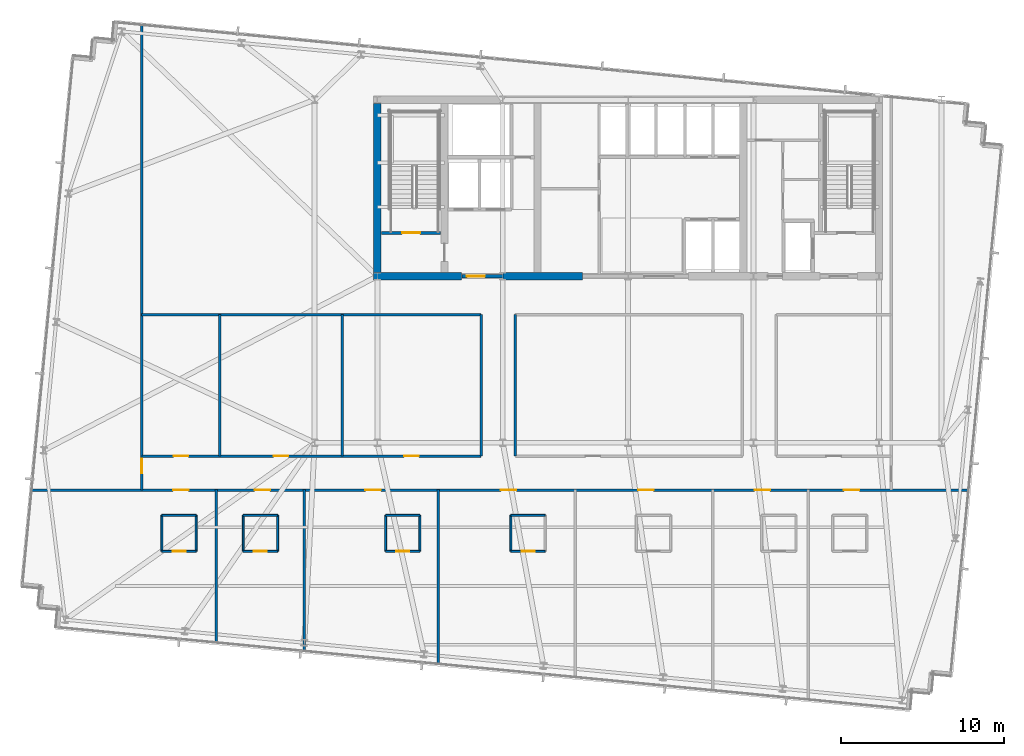
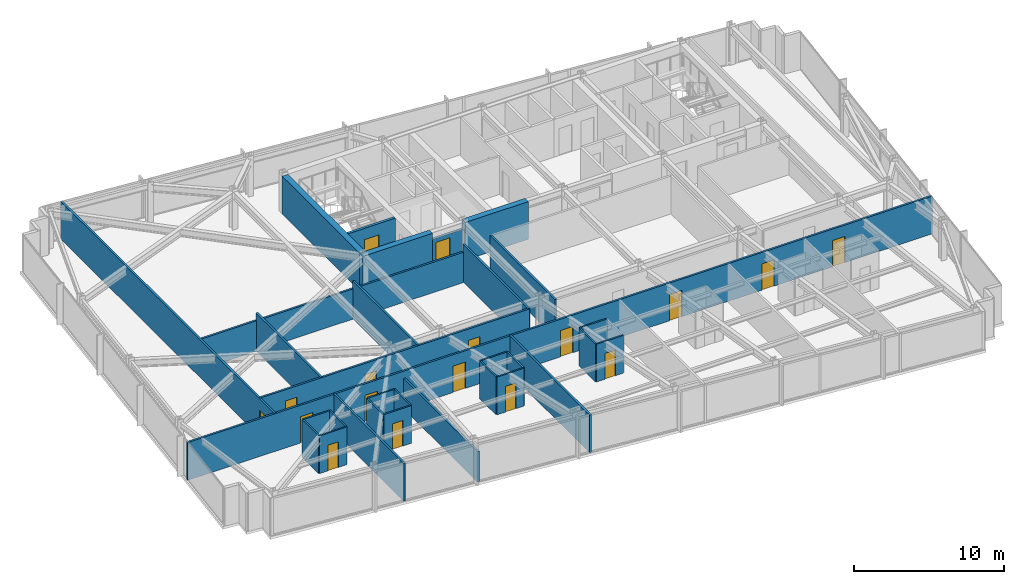
# One storey, part 29 of 37: 31 walls, 17 doors, 17 openings.
"""IFC4 building model written with IfcOpenShell, lengths in metres."""

from ifc_helpers import new_model, si_unit, direction, frame, frame_2d, origin, place, context, subcontext, project, spatial, rectangle, extrude, material, layer, layer_set, type_object, element, fill, save


model = new_model("IFC4")

# Units and contexts
model_context = context("Model", 3, precision=1e-05, world=origin(), true_north=direction((0.0, 1.0)))
body_context = subcontext(model_context, "Body", "Model", "MODEL_VIEW")
ifc_project = project(units=[si_unit("LENGTHUNIT", "METRE"), si_unit("AREAUNIT", "SQUARE_METRE"), si_unit("VOLUMEUNIT", "CUBIC_METRE"), si_unit("PLANEANGLEUNIT", "RADIAN"), si_unit("MASSUNIT", "GRAM", prefix="KILO")], contexts=[model_context])

# Site, building, storey
site_placement = place(None, origin())
site = spatial("IfcSite", under=ifc_project, at=site_placement, CompositionType="ELEMENT")
building_placement = place(site_placement, origin())
building = spatial("IfcBuilding", under=site, at=building_placement, Name="Yelkora Congress Tower", CompositionType="ELEMENT")
storey_placement = place(building_placement, frame((0.0, 0.0, 165.5)))
storey = spatial("IfcBuildingStorey", under=building, at=storey_placement, Name="L45", CompositionType="ELEMENT", Elevation=165.5)

# Walls
ifc_material_1 = material(Name="Concrete C60/75", Category="concrete")
ifc_layer_1 = layer(ifc_material_1, 0.449951171875)
ifc_layer_set_1 = layer_set([ifc_layer_1], Name="Concrete C60/75")
wall_type_1 = type_object("IfcWallType", Name="WALL-CORE-INT-450", PredefinedType="SHEAR", material=ifc_layer_set_1)
wall_1_placement = place(storey_placement, frame((22.81494140625, 35.39990234375, 0.0), z_axis=(0.0, 0.0, 1.0), x_axis=(1.0, 0.0, 0.0)))
element("IfcWall", 1, at=wall_1_placement, inside=storey, type_object=wall_type_1, Name="L45 Rear Core South-West Shear Wall", PredefinedType="SHEAR", context=body_context, shape_type="SweptSolid", body=[
    extrude(rectangle(XDim=5.385009765625, YDim=0.449951171875, at=frame_2d((2.6923828125, 0.0))), origin(), (0.0, 0.0, 1.0), 3.080078125),
])
wall_2_placement = place(storey_placement, frame((30.719970703125, 35.39990234375, 0.0), z_axis=(0.0, 0.0, 1.0), x_axis=(1.0, 0.0, 0.0)))
element("IfcWall", 2, at=wall_2_placement, inside=storey, type_object=wall_type_1, Name="L45 Rear Core South-Center Shear Pier", PredefinedType="SHEAR", context=body_context, shape_type="SweptSolid", body=[
    extrude(rectangle(XDim=4.880126953125, YDim=0.449951171875, at=frame_2d((2.43994140625, 0.0))), origin(), (0.0, 0.0, 1.0), 3.080078125),
])
wall_3_placement = place(storey_placement, frame((23.0400390625, 35.625, 0.0), z_axis=(0.0, 0.0, 1.0), x_axis=(0.0, 1.0, 0.0)))
element("IfcWall", 3, at=wall_3_placement, inside=storey, type_object=wall_type_1, Name="L45 Rear Core Cross Shear Wall W", PredefinedType="SHEAR", context=body_context, shape_type="SweptSolid", body=[
    extrude(rectangle(XDim=10.35009765625, YDim=0.449951171875, at=frame_2d((5.175048828125, 0.0))), origin(), (0.0, 0.0, 1.0), 3.080078125),
])
ifc_material_2 = material(Name="Moisture-resistant gypsum partition", Category="gypsum")
ifc_layer_2 = layer(ifc_material_2, 0.1201171875)
ifc_layer_set_2 = layer_set([ifc_layer_2], Name="Moisture-resistant gypsum partition")
wall_type_2 = type_object("IfcWallType", Name="WALL-INT-120-NR", PredefinedType="PARTITIONING", material=ifc_layer_set_2)
wall_4_placement = place(storey_placement, frame((9.842041015625, 20.75, 0.0), z_axis=(0.0, 0.0, 1.0), x_axis=(1.0, 0.0, 0.0)))
element("IfcWall", 4, at=wall_4_placement, inside=storey, type_object=wall_type_2, Name="L45 Partition Wall 27", PredefinedType="PARTITIONING", context=body_context, shape_type="SweptSolid", body=[
    extrude(rectangle(XDim=2.099853515625, YDim=0.1201171875, at=frame_2d((1.0498046875, 0.0))), origin(), (0.0, 0.0, 1.0), 3.080078125),
])
for number, where, z_axis, x_axis, name in (
    (5, (9.842041015625, 18.550048828125, 0.0), (0.0, 0.0, 1.0), (0.0, 1.0, 0.0), "L45 Partition Wall 28"),
    (6, (11.94189453125, 18.550048828125, 0.0), (0.0, 0.0, 1.0), (0.0, 1.0, 0.0), "L45 Partition Wall 29"),
):
    element("IfcWall", number, at=place(storey_placement, frame(where, z_axis=z_axis, x_axis=x_axis)), inside=storey, type_object=wall_type_2, Name=name, PredefinedType="PARTITIONING", context=body_context, shape_type="SweptSolid", body=[
        extrude(rectangle(XDim=2.199951171875, YDim=0.1201171875, at=frame_2d((1.10009765625, 0.0))), origin(), (0.0, 0.0, 1.0), 3.080078125),
    ])

# Wall, opening, door
wall_5_placement = place(storey_placement, frame((9.842041015625, 18.550048828125, 0.0), z_axis=(0.0, 0.0, 1.0), x_axis=(1.0, 0.0, 0.0)))
wall_5 = element("IfcWall", 7, at=wall_5_placement, inside=storey, type_object=wall_type_2, Name="L45 Partition Wall 30", PredefinedType="PARTITIONING", context=body_context, shape_type="SweptSolid", body=[
    extrude(rectangle(XDim=2.099853515625, YDim=0.1201171875, at=frame_2d((1.0498046875, 0.0))), origin(), (0.0, 0.0, 1.0), 3.080078125),
])
opening_1_placement = place(wall_5_placement, frame((0.64990234375, 0.0, 0.0)))
opening_1 = element("IfcOpeningElement", 8, at=opening_1_placement, cuts=wall_5, Name="Opening DR-080B", PredefinedType="OPENING", context=body_context, shape_type="SweptSolid", body=[
    extrude(rectangle(XDim=0.800048828125, YDim=2.10009765625, at=frame_2d((0.39990234375, 1.050048828125))), frame((0.0, 0.070068359375, 0.0), z_axis=(0.0, -1.0, 0.0), x_axis=(1.0, 0.0, 0.0)), (0.0, 0.0, 1.0), 0.14013671875),
])
ifc_material_3 = material(Name="Moisture-sealed en-suite timber door", Category="wood")
door_type_1 = type_object("IfcDoorType", Name="DOOR-BATH-800", OperationType="NOTDEFINED", PredefinedType="DOOR", material=ifc_material_3)
door_1_placement = place(opening_1_placement, origin())
door_1 = element("IfcDoor", 9, at=door_1_placement, inside=storey, type_object=door_type_1, Name="L45 En-suite Door 1", OperationType="SINGLE_SWING_LEFT", OverallHeight=2.10009765625, OverallWidth=0.800048828125, PredefinedType="DOOR", context=body_context, shape_type="SweptSolid", body=[
    extrude(rectangle(XDim=0.800048828125, YDim=2.10009765625, at=frame_2d((0.39990234375, 1.050048828125))), frame((0.0, 0.02490234375, 0.0), z_axis=(0.0, -1.0, 0.0), x_axis=(1.0, 0.0, 0.0)), (0.0, 0.0, 1.0), 0.050048828125),
])
fill(opening_1, door_1)

# Walls
wall_6_placement = place(storey_placement, frame((14.823974609375, 20.75, 0.0), z_axis=(0.0, 0.0, 1.0), x_axis=(1.0, 0.0, 0.0)))
element("IfcWall", 10, at=wall_6_placement, inside=storey, type_object=wall_type_2, Name="L45 Partition Wall 31", PredefinedType="PARTITIONING", context=body_context, shape_type="SweptSolid", body=[
    extrude(rectangle(XDim=2.10009765625, YDim=0.1201171875, at=frame_2d((1.050048828125, 0.0))), origin(), (0.0, 0.0, 1.0), 3.080078125),
])
for number, where, z_axis, x_axis, name in (
    (11, (14.823974609375, 18.550048828125, 0.0), (0.0, 0.0, 1.0), (0.0, 1.0, 0.0), "L45 Partition Wall 32"),
    (12, (16.924072265625, 18.550048828125, 0.0), (0.0, 0.0, 1.0), (0.0, 1.0, 0.0), "L45 Partition Wall 33"),
):
    element("IfcWall", number, at=place(storey_placement, frame(where, z_axis=z_axis, x_axis=x_axis)), inside=storey, type_object=wall_type_2, Name=name, PredefinedType="PARTITIONING", context=body_context, shape_type="SweptSolid", body=[
        extrude(rectangle(XDim=2.199951171875, YDim=0.1201171875, at=frame_2d((1.10009765625, 0.0))), origin(), (0.0, 0.0, 1.0), 3.080078125),
    ])

# Wall, opening, door
wall_7_placement = place(storey_placement, frame((14.823974609375, 18.550048828125, 0.0), z_axis=(0.0, 0.0, 1.0), x_axis=(1.0, 0.0, 0.0)))
wall_7 = element("IfcWall", 13, at=wall_7_placement, inside=storey, type_object=wall_type_2, Name="L45 Partition Wall 34", PredefinedType="PARTITIONING", context=body_context, shape_type="SweptSolid", body=[
    extrude(rectangle(XDim=2.10009765625, YDim=0.1201171875, at=frame_2d((1.050048828125, 0.0))), origin(), (0.0, 0.0, 1.0), 3.080078125),
])
opening_2_placement = place(wall_7_placement, frame((0.64990234375, 0.0, 0.0)))
opening_2 = element("IfcOpeningElement", 14, at=opening_2_placement, cuts=wall_7, Name="Opening DR-080B", PredefinedType="OPENING", context=body_context, shape_type="SweptSolid", body=[
    extrude(rectangle(XDim=0.800048828125, YDim=2.10009765625, at=frame_2d((0.39990234375, 1.050048828125))), frame((0.0, 0.070068359375, 0.0), z_axis=(0.0, -1.0, 0.0), x_axis=(1.0, 0.0, 0.0)), (0.0, 0.0, 1.0), 0.14013671875),
])
door_2_placement = place(opening_2_placement, origin())
door_2 = element("IfcDoor", 15, at=door_2_placement, inside=storey, type_object=door_type_1, Name="L45 En-suite Door 2", OperationType="SINGLE_SWING_RIGHT", OverallHeight=2.10009765625, OverallWidth=0.800048828125, PredefinedType="DOOR", context=body_context, shape_type="SweptSolid", body=[
    extrude(rectangle(XDim=0.800048828125, YDim=2.10009765625, at=frame_2d((0.39990234375, 1.050048828125))), frame((0.0, 0.02490234375, 0.0), z_axis=(0.0, -1.0, 0.0), x_axis=(1.0, 0.0, 0.0)), (0.0, 0.0, 1.0), 0.050048828125),
])
fill(opening_2, door_2)

# Walls
wall_8_placement = place(storey_placement, frame((23.5400390625, 20.75, 0.0), z_axis=(0.0, 0.0, 1.0), x_axis=(1.0, 0.0, 0.0)))
element("IfcWall", 16, at=wall_8_placement, inside=storey, type_object=wall_type_2, Name="L45 Partition Wall 36", PredefinedType="PARTITIONING", context=body_context, shape_type="SweptSolid", body=[
    extrude(rectangle(XDim=2.099853515625, YDim=0.1201171875, at=frame_2d((1.0498046875, 0.0))), origin(), (0.0, 0.0, 1.0), 3.080078125),
])
for number, where, z_axis, x_axis, name in (
    (17, (23.5400390625, 18.550048828125, 0.0), (0.0, 0.0, 1.0), (0.0, 1.0, 0.0), "L45 Partition Wall 37"),
    (18, (25.639892578125, 18.550048828125, 0.0), (0.0, 0.0, 1.0), (0.0, 1.0, 0.0), "L45 Partition Wall 38"),
):
    element("IfcWall", number, at=place(storey_placement, frame(where, z_axis=z_axis, x_axis=x_axis)), inside=storey, type_object=wall_type_2, Name=name, PredefinedType="PARTITIONING", context=body_context, shape_type="SweptSolid", body=[
        extrude(rectangle(XDim=2.199951171875, YDim=0.1201171875, at=frame_2d((1.10009765625, 0.0))), origin(), (0.0, 0.0, 1.0), 3.080078125),
    ])

# Wall, opening, door
wall_9_placement = place(storey_placement, frame((23.5400390625, 18.550048828125, 0.0), z_axis=(0.0, 0.0, 1.0), x_axis=(1.0, 0.0, 0.0)))
wall_9 = element("IfcWall", 19, at=wall_9_placement, inside=storey, type_object=wall_type_2, Name="L45 Partition Wall 39", PredefinedType="PARTITIONING", context=body_context, shape_type="SweptSolid", body=[
    extrude(rectangle(XDim=2.099853515625, YDim=0.1201171875, at=frame_2d((1.0498046875, 0.0))), origin(), (0.0, 0.0, 1.0), 3.080078125),
])
opening_3_placement = place(wall_9_placement, frame((0.64990234375, 0.0, 0.0)))
opening_3 = element("IfcOpeningElement", 20, at=opening_3_placement, cuts=wall_9, Name="Opening DR-080B", PredefinedType="OPENING", context=body_context, shape_type="SweptSolid", body=[
    extrude(rectangle(XDim=0.800048828125, YDim=2.10009765625, at=frame_2d((0.39990234375, 1.050048828125))), frame((0.0, 0.070068359375, 0.0), z_axis=(0.0, -1.0, 0.0), x_axis=(1.0, 0.0, 0.0)), (0.0, 0.0, 1.0), 0.14013671875),
])
door_3_placement = place(opening_3_placement, origin())
door_3 = element("IfcDoor", 21, at=door_3_placement, inside=storey, type_object=door_type_1, Name="L45 En-suite Door 3", OperationType="SINGLE_SWING_LEFT", OverallHeight=2.10009765625, OverallWidth=0.800048828125, PredefinedType="DOOR", context=body_context, shape_type="SweptSolid", body=[
    extrude(rectangle(XDim=0.800048828125, YDim=2.10009765625, at=frame_2d((0.39990234375, 1.050048828125))), frame((0.0, 0.02490234375, 0.0), z_axis=(0.0, -1.0, 0.0), x_axis=(1.0, 0.0, 0.0)), (0.0, 0.0, 1.0), 0.050048828125),
])
fill(opening_3, door_3)

# Walls
wall_10_placement = place(storey_placement, frame((31.219970703125, 20.75, 0.0), z_axis=(0.0, 0.0, 1.0), x_axis=(1.0, 0.0, 0.0)))
element("IfcWall", 22, at=wall_10_placement, inside=storey, type_object=wall_type_2, Name="L45 Partition Wall 41", PredefinedType="PARTITIONING", context=body_context, shape_type="SweptSolid", body=[
    extrude(rectangle(XDim=2.10009765625, YDim=0.1201171875, at=frame_2d((1.050048828125, 0.0))), origin(), (0.0, 0.0, 1.0), 3.080078125),
])
wall_11_placement = place(storey_placement, frame((31.219970703125, 18.550048828125, 0.0), z_axis=(0.0, 0.0, 1.0), x_axis=(0.0, 1.0, 0.0)))
element("IfcWall", 23, at=wall_11_placement, inside=storey, type_object=wall_type_2, Name="L45 Partition Wall 42", PredefinedType="PARTITIONING", context=body_context, shape_type="SweptSolid", body=[
    extrude(rectangle(XDim=2.199951171875, YDim=0.1201171875, at=frame_2d((1.10009765625, 0.0))), origin(), (0.0, 0.0, 1.0), 3.080078125),
])

# Wall, opening, door
wall_12_placement = place(storey_placement, frame((31.219970703125, 18.550048828125, 0.0), z_axis=(0.0, 0.0, 1.0), x_axis=(1.0, 0.0, 0.0)))
wall_12 = element("IfcWall", 24, at=wall_12_placement, inside=storey, type_object=wall_type_2, Name="L45 Partition Wall 44", PredefinedType="PARTITIONING", context=body_context, shape_type="SweptSolid", body=[
    extrude(rectangle(XDim=2.10009765625, YDim=0.1201171875, at=frame_2d((1.050048828125, 0.0))), origin(), (0.0, 0.0, 1.0), 3.080078125),
])
opening_4_placement = place(wall_12_placement, frame((0.64990234375, 0.0, 0.0)))
opening_4 = element("IfcOpeningElement", 25, at=opening_4_placement, cuts=wall_12, Name="Opening DR-080B", PredefinedType="OPENING", context=body_context, shape_type="SweptSolid", body=[
    extrude(rectangle(XDim=0.800048828125, YDim=2.10009765625, at=frame_2d((0.39990234375, 1.050048828125))), frame((0.0, 0.070068359375, 0.0), z_axis=(0.0, -1.0, 0.0), x_axis=(1.0, 0.0, 0.0)), (0.0, 0.0, 1.0), 0.14013671875),
])
door_4_placement = place(opening_4_placement, origin())
door_4 = element("IfcDoor", 26, at=door_4_placement, inside=storey, type_object=door_type_1, Name="L45 En-suite Door 4", OperationType="SINGLE_SWING_RIGHT", OverallHeight=2.10009765625, OverallWidth=0.800048828125, PredefinedType="DOOR", context=body_context, shape_type="SweptSolid", body=[
    extrude(rectangle(XDim=0.800048828125, YDim=2.10009765625, at=frame_2d((0.39990234375, 1.050048828125))), frame((0.0, 0.02490234375, 0.0), z_axis=(0.0, -1.0, 0.0), x_axis=(1.0, 0.0, 0.0)), (0.0, 0.0, 1.0), 0.050048828125),
])
fill(opening_4, door_4)

ifc_material_4 = material(Name="Acoustic metal-stud gypsum partition", Category="gypsum")
ifc_layer_3 = layer(ifc_material_4, 0.14990234375)
ifc_layer_set_3 = layer_set([ifc_layer_3], Name="Acoustic metal-stud gypsum partition")
wall_type_3 = type_object("IfcWallType", Name="WALL-INT-150-NR", PredefinedType="PARTITIONING", material=ifc_layer_set_3)
wall_13_placement = place(storey_placement, frame((8.60107421875, 22.300048828125, 0.0), z_axis=(0.0, 0.0, 1.0), x_axis=(0.0, 1.0, 0.0)))
wall_13 = element("IfcWall", 27, at=wall_13_placement, inside=storey, type_object=wall_type_3, Name="L45 Partition Wall 62", PredefinedType="PARTITIONING", context=body_context, shape_type="SweptSolid", body=[
    extrude(rectangle(XDim=28.546630859375, YDim=0.14990234375, at=frame_2d((14.2734375, 0.0))), origin(), (0.0, 0.0, 1.0), 3.080078125),
])
opening_5_placement = place(wall_13_placement, frame((1.030029296875, 0.0, 0.0)))
opening_5 = element("IfcOpeningElement", 28, at=opening_5_placement, cuts=wall_13, Name="Opening DR-090N", PredefinedType="OPENING", context=body_context, shape_type="SweptSolid", body=[
    extrude(rectangle(XDim=0.89990234375, YDim=2.14990234375, at=frame_2d((0.449951171875, 1.074951171875))), frame((0.0, 0.0849609375, 0.0), z_axis=(0.0, -1.0, 0.0), x_axis=(1.0, 0.0, 0.0)), (0.0, 0.0, 1.0), 0.169921875),
])
ifc_material_5 = material(Name="Moisture-resistant laminate door leaf", Category="wood")
door_type_2 = type_object("IfcDoorType", Name="DOOR-INT-900", OperationType="NOTDEFINED", PredefinedType="DOOR", material=ifc_material_5)
door_5_placement = place(opening_5_placement, origin())
door_5 = element("IfcDoor", 29, at=door_5_placement, inside=storey, type_object=door_type_2, Name="L45 W Wing Door", OperationType="SINGLE_SWING_LEFT", OverallHeight=2.14990234375, OverallWidth=0.89990234375, PredefinedType="DOOR", context=body_context, shape_type="SweptSolid", body=[
    extrude(rectangle(XDim=0.89990234375, YDim=2.14990234375, at=frame_2d((0.449951171875, 1.074951171875))), frame((0.0, 0.02490234375, 0.0), z_axis=(0.0, -1.0, 0.0), x_axis=(1.0, 0.0, 0.0)), (0.0, 0.0, 1.0), 0.050048828125),
])
fill(opening_5, door_5)

# Walls
for number, where, z_axis, x_axis, name in (
    (30, (29.39990234375, 24.3798828125, 0.0), (0.0, 0.0, 1.0), (0.0, 1.0, 0.0), "L45 Partition Wall 64"),
    (31, (31.47998046875, 24.3798828125, 0.0), (0.0, 0.0, 1.0), (0.0, 1.0, 0.0), "L45 Partition Wall 65"),
):
    element("IfcWall", number, at=place(storey_placement, frame(where, z_axis=z_axis, x_axis=x_axis)), inside=storey, type_object=wall_type_3, Name=name, PredefinedType="PARTITIONING", context=body_context, shape_type="SweptSolid", body=[
        extrude(rectangle(XDim=8.670166015625, YDim=0.14990234375, at=frame_2d((4.3349609375, 0.0))), origin(), (0.0, 0.0, 1.0), 3.080078125),
    ])
wall_14_placement = place(storey_placement, frame((8.60107421875, 33.050048828125, 0.0), z_axis=(0.0, 0.0, 1.0), x_axis=(1.0, 0.0, 0.0)))
element("IfcWall", 32, at=wall_14_placement, inside=storey, type_object=wall_type_3, Name="L45 Partition Wall 68", PredefinedType="PARTITIONING", context=body_context, shape_type="SweptSolid", body=[
    extrude(rectangle(XDim=20.798828125, YDim=0.14990234375, at=frame_2d((10.3994140625, 0.0))), origin(), (0.0, 0.0, 1.0), 2.47509765625),
])
for number, where, z_axis, x_axis, name in (
    (33, (13.39794921875, 24.3798828125, 0.0), (0.0, 0.0, 1.0), (0.0, 1.0, 0.0), "L45 Partition Wall 71"),
    (34, (20.875, 24.3798828125, 0.0), (0.0, 0.0, 1.0), (0.0, 1.0, 0.0), "L45 Partition Wall 72"),
):
    element("IfcWall", number, at=place(storey_placement, frame(where, z_axis=z_axis, x_axis=x_axis)), inside=storey, type_object=wall_type_3, Name=name, PredefinedType="PARTITIONING", context=body_context, shape_type="SweptSolid", body=[
        extrude(rectangle(XDim=8.670166015625, YDim=0.14990234375, at=frame_2d((4.3349609375, 0.0))), origin(), (0.0, 0.0, 1.0), 3.080078125),
    ])

# Wall, openings, doors
wall_15_placement = place(storey_placement, frame((8.62109375, 24.3798828125, 0.0), z_axis=(0.0, 0.0, 1.0), x_axis=(1.0, 0.0, 0.0)))
wall_15 = element("IfcWall", 35, at=wall_15_placement, inside=storey, type_object=wall_type_3, Name="L45 Partition Wall 73", PredefinedType="PARTITIONING", context=body_context, shape_type="SweptSolid", body=[
    extrude(rectangle(XDim=20.768798828125, YDim=0.14990234375, at=frame_2d((10.38427734375, 0.0))), origin(), (0.0, 0.0, 1.0), 3.080078125),
])
opening_6_placement = place(wall_15_placement, frame((1.9384765625, 0.0, 0.0)))
opening_6 = element("IfcOpeningElement", 36, at=opening_6_placement, cuts=wall_15, Name="Opening DR-090N", PredefinedType="OPENING", context=body_context, shape_type="SweptSolid", body=[
    extrude(rectangle(XDim=0.89990234375, YDim=2.14990234375, at=frame_2d((0.449951171875, 1.074951171875))), frame((0.0, 0.0849609375, 0.0), z_axis=(0.0, -1.0, 0.0), x_axis=(1.0, 0.0, 0.0)), (0.0, 0.0, 1.0), 0.169921875),
])
opening_7_placement = place(wall_15_placement, frame((8.0654296875, 0.0, 0.0)))
opening_7 = element("IfcOpeningElement", 37, at=opening_7_placement, cuts=wall_15, Name="Opening DR-090N", PredefinedType="OPENING", context=body_context, shape_type="SweptSolid", body=[
    extrude(rectangle(XDim=0.89990234375, YDim=2.14990234375, at=frame_2d((0.449951171875, 1.074951171875))), frame((0.0, 0.0849609375, 0.0), z_axis=(0.0, -1.0, 0.0), x_axis=(1.0, 0.0, 0.0)), (0.0, 0.0, 1.0), 0.169921875),
])
opening_8_placement = place(wall_15_placement, frame((16.0615234375, 0.0, 0.0)))
opening_8 = element("IfcOpeningElement", 38, at=opening_8_placement, cuts=wall_15, Name="Opening DR-090N", PredefinedType="OPENING", context=body_context, shape_type="SweptSolid", body=[
    extrude(rectangle(XDim=0.89990234375, YDim=2.14990234375, at=frame_2d((0.449951171875, 1.074951171875))), frame((0.0, 0.0849609375, 0.0), z_axis=(0.0, -1.0, 0.0), x_axis=(1.0, 0.0, 0.0)), (0.0, 0.0, 1.0), 0.169921875),
])
door_6_placement = place(opening_6_placement, origin())
door_6 = element("IfcDoor", 39, at=door_6_placement, inside=storey, type_object=door_type_2, Name="L45 Housekeeping & Linen Room Door", OperationType="SINGLE_SWING_LEFT", OverallHeight=2.14990234375, OverallWidth=0.89990234375, PredefinedType="DOOR", context=body_context, shape_type="SweptSolid", body=[
    extrude(rectangle(XDim=0.89990234375, YDim=2.14990234375, at=frame_2d((0.449951171875, 1.074951171875))), frame((0.0, 0.02490234375, 0.0), z_axis=(0.0, -1.0, 0.0), x_axis=(1.0, 0.0, 0.0)), (0.0, 0.0, 1.0), 0.050048828125),
])
fill(opening_6, door_6)
door_7_placement = place(opening_7_placement, origin())
door_7 = element("IfcDoor", 40, at=door_7_placement, inside=storey, type_object=door_type_2, Name="L45 Diplomatic Day Lounge Door", OperationType="SINGLE_SWING_RIGHT", OverallHeight=2.14990234375, OverallWidth=0.89990234375, PredefinedType="DOOR", context=body_context, shape_type="SweptSolid", body=[
    extrude(rectangle(XDim=0.89990234375, YDim=2.14990234375, at=frame_2d((0.449951171875, 1.074951171875))), frame((0.0, 0.02490234375, 0.0), z_axis=(0.0, -1.0, 0.0), x_axis=(1.0, 0.0, 0.0)), (0.0, 0.0, 1.0), 0.050048828125),
])
fill(opening_7, door_7)
door_8_placement = place(opening_8_placement, origin())
door_8 = element("IfcDoor", 41, at=door_8_placement, inside=storey, type_object=door_type_2, Name="L45 First-Aid Treatment Room Door", OperationType="SINGLE_SWING_LEFT", OverallHeight=2.14990234375, OverallWidth=0.89990234375, PredefinedType="DOOR", context=body_context, shape_type="SweptSolid", body=[
    extrude(rectangle(XDim=0.89990234375, YDim=2.14990234375, at=frame_2d((0.449951171875, 1.074951171875))), frame((0.0, 0.02490234375, 0.0), z_axis=(0.0, -1.0, 0.0), x_axis=(1.0, 0.0, 0.0)), (0.0, 0.0, 1.0), 0.050048828125),
])
fill(opening_8, door_8)

# Walls
ifc_material_6 = material(Name="Twin-stud fire-rated gypsum partition", Category="gypsum")
ifc_layer_4 = layer(ifc_material_6, 0.14990234375)
ifc_layer_set_4 = layer_set([ifc_layer_4], Name="Twin-stud fire-rated gypsum partition")
wall_type_4 = type_object("IfcWallType", Name="WALL-INT-150-R60", PredefinedType="PARTITIONING", material=ifc_layer_set_4)
wall_16_placement = place(storey_placement, frame((13.18310546875, 12.892578125, 0.0), z_axis=(0.0, 0.0, 1.0), x_axis=(0.0, 1.0, 0.0)))
element("IfcWall", 42, at=wall_16_placement, inside=storey, type_object=wall_type_4, Name="L45 Partition Wall 35", PredefinedType="PARTITIONING", context=body_context, shape_type="SweptSolid", body=[
    extrude(rectangle(XDim=9.427490234375, YDim=0.14990234375, at=frame_2d((4.7138671875, 0.0))), origin(), (0.0, 0.0, 1.0), 3.080078125),
])
wall_17_placement = place(storey_placement, frame((18.56591796875, 12.374267578125, 0.0), z_axis=(0.0, 0.0, 1.0), x_axis=(0.0, 1.0, 0.0)))
element("IfcWall", 43, at=wall_17_placement, inside=storey, type_object=wall_type_4, Name="L45 Partition Wall 40", PredefinedType="PARTITIONING", context=body_context, shape_type="SweptSolid", body=[
    extrude(rectangle(XDim=9.94580078125, YDim=0.14990234375, at=frame_2d((4.972900390625, 0.0))), origin(), (0.0, 0.0, 1.0), 2.47509765625),
])
wall_18_placement = place(storey_placement, frame((26.76806640625, 11.584716796875, 0.0), z_axis=(0.0, 0.0, 1.0), x_axis=(0.0, 1.0, 0.0)))
element("IfcWall", 44, at=wall_18_placement, inside=storey, type_object=wall_type_4, Name="L45 Partition Wall 45", PredefinedType="PARTITIONING", context=body_context, shape_type="SweptSolid", body=[
    extrude(rectangle(XDim=10.7353515625, YDim=0.14990234375, at=frame_2d((5.36767578125, 0.0))), origin(), (0.0, 0.0, 1.0), 3.080078125),
])

# Wall, openings, doors
wall_19_placement = place(storey_placement, frame((1.80078125, 22.300048828125, 0.0), z_axis=(0.0, 0.0, 1.0), x_axis=(1.0, 0.0, 0.0)))
wall_19 = element("IfcWall", 45, at=wall_19_placement, inside=storey, type_object=wall_type_4, Name="L45 South Spine Wall", PredefinedType="PARTITIONING", context=body_context, shape_type="SweptSolid", body=[
    extrude(rectangle(XDim=57.504638671875, YDim=0.14990234375, at=frame_2d((28.75244140625, 0.0))), origin(), (0.0, 0.0, 1.0), 3.080078125),
])
opening_9_placement = place(wall_19_placement, frame((8.731201171875, 0.0, 0.0)))
opening_9 = element("IfcOpeningElement", 46, at=opening_9_placement, cuts=wall_19, Name="Opening DR-095F6", PredefinedType="OPENING", context=body_context, shape_type="SweptSolid", body=[
    extrude(rectangle(XDim=0.949951171875, YDim=2.14990234375, at=frame_2d((0.47509765625, 1.074951171875))), frame((0.0, 0.0849609375, 0.0), z_axis=(0.0, -1.0, 0.0), x_axis=(1.0, 0.0, 0.0)), (0.0, 0.0, 1.0), 0.169921875),
])
opening_10_placement = place(wall_19_placement, frame((13.7138671875, 0.0, 0.0)))
opening_10 = element("IfcOpeningElement", 47, at=opening_10_placement, cuts=wall_19, Name="Opening DR-095F6", PredefinedType="OPENING", context=body_context, shape_type="SweptSolid", body=[
    extrude(rectangle(XDim=0.949951171875, YDim=2.14990234375, at=frame_2d((0.47509765625, 1.074951171875))), frame((0.0, 0.0849609375, 0.0), z_axis=(0.0, -1.0, 0.0), x_axis=(1.0, 0.0, 0.0)), (0.0, 0.0, 1.0), 0.169921875),
])
opening_11_placement = place(wall_19_placement, frame((20.50634765625, 0.0, 0.0)))
opening_11 = element("IfcOpeningElement", 48, at=opening_11_placement, cuts=wall_19, Name="Opening DR-095F6", PredefinedType="OPENING", context=body_context, shape_type="SweptSolid", body=[
    extrude(rectangle(XDim=0.949951171875, YDim=2.14990234375, at=frame_2d((0.47509765625, 1.074951171875))), frame((0.0, 0.0849609375, 0.0), z_axis=(0.0, -1.0, 0.0), x_axis=(1.0, 0.0, 0.0)), (0.0, 0.0, 1.0), 0.169921875),
])
opening_12_placement = place(wall_19_placement, frame((28.807861328125, 0.0, 0.0)))
opening_12 = element("IfcOpeningElement", 49, at=opening_12_placement, cuts=wall_19, Name="Opening DR-095F6", PredefinedType="OPENING", context=body_context, shape_type="SweptSolid", body=[
    extrude(rectangle(XDim=0.949951171875, YDim=2.14990234375, at=frame_2d((0.47509765625, 1.074951171875))), frame((0.0, 0.0849609375, 0.0), z_axis=(0.0, -1.0, 0.0), x_axis=(1.0, 0.0, 0.0)), (0.0, 0.0, 1.0), 0.169921875),
])
opening_13_placement = place(wall_19_placement, frame((37.208740234375, 0.0, 0.0)))
opening_13 = element("IfcOpeningElement", 50, at=opening_13_placement, cuts=wall_19, Name="Opening DR-095F6", PredefinedType="OPENING", context=body_context, shape_type="SweptSolid", body=[
    extrude(rectangle(XDim=0.949951171875, YDim=2.14990234375, at=frame_2d((0.47509765625, 1.074951171875))), frame((0.0, 0.0849609375, 0.0), z_axis=(0.0, -1.0, 0.0), x_axis=(1.0, 0.0, 0.0)), (0.0, 0.0, 1.0), 0.169921875),
])
opening_14_placement = place(wall_19_placement, frame((44.34326171875, 0.0, 0.0)))
opening_14 = element("IfcOpeningElement", 51, at=opening_14_placement, cuts=wall_19, Name="Opening DR-095F6", PredefinedType="OPENING", context=body_context, shape_type="SweptSolid", body=[
    extrude(rectangle(XDim=0.949951171875, YDim=2.14990234375, at=frame_2d((0.47509765625, 1.074951171875))), frame((0.0, 0.0849609375, 0.0), z_axis=(0.0, -1.0, 0.0), x_axis=(1.0, 0.0, 0.0)), (0.0, 0.0, 1.0), 0.169921875),
])
opening_15_placement = place(wall_19_placement, frame((49.811279296875, 0.0, 0.0)))
opening_15 = element("IfcOpeningElement", 52, at=opening_15_placement, cuts=wall_19, Name="Opening DR-095F6", PredefinedType="OPENING", context=body_context, shape_type="SweptSolid", body=[
    extrude(rectangle(XDim=0.949951171875, YDim=2.14990234375, at=frame_2d((0.47509765625, 1.074951171875))), frame((0.0, 0.0849609375, 0.0), z_axis=(0.0, -1.0, 0.0), x_axis=(1.0, 0.0, 0.0)), (0.0, 0.0, 1.0), 0.169921875),
])
ifc_material_7 = material(Name="Acoustic oak-veneer fire door leaf", Category="wood")
door_type_3 = type_object("IfcDoorType", Name="DOOR-FD60-950", OperationType="NOTDEFINED", PredefinedType="DOOR", material=ifc_material_7)
door_9_placement = place(opening_9_placement, origin())
door_9 = element("IfcDoor", 53, at=door_9_placement, inside=storey, type_object=door_type_3, Name="L45 Diplomatic Suite 01 Entry Door", OperationType="SINGLE_SWING_RIGHT", OverallHeight=2.14990234375, OverallWidth=0.949951171875, PredefinedType="DOOR", context=body_context, shape_type="SweptSolid", body=[
    extrude(rectangle(XDim=0.949951171875, YDim=2.14990234375, at=frame_2d((0.47509765625, 1.074951171875))), frame((0.0, 0.02490234375, 0.0), z_axis=(0.0, -1.0, 0.0), x_axis=(1.0, 0.0, 0.0)), (0.0, 0.0, 1.0), 0.050048828125),
])
fill(opening_9, door_9)
door_10_placement = place(opening_10_placement, origin())
door_10 = element("IfcDoor", 54, at=door_10_placement, inside=storey, type_object=door_type_3, Name="L45 Diplomatic Suite 02 Entry Door", OperationType="SINGLE_SWING_LEFT", OverallHeight=2.14990234375, OverallWidth=0.949951171875, PredefinedType="DOOR", context=body_context, shape_type="SweptSolid", body=[
    extrude(rectangle(XDim=0.949951171875, YDim=2.14990234375, at=frame_2d((0.47509765625, 1.074951171875))), frame((0.0, 0.02490234375, 0.0), z_axis=(0.0, -1.0, 0.0), x_axis=(1.0, 0.0, 0.0)), (0.0, 0.0, 1.0), 0.050048828125),
])
fill(opening_10, door_10)
door_11_placement = place(opening_11_placement, origin())
door_11 = element("IfcDoor", 55, at=door_11_placement, inside=storey, type_object=door_type_3, Name="L45 Diplomatic Suite 03 Entry Door", OperationType="SINGLE_SWING_RIGHT", OverallHeight=2.14990234375, OverallWidth=0.949951171875, PredefinedType="DOOR", context=body_context, shape_type="SweptSolid", body=[
    extrude(rectangle(XDim=0.949951171875, YDim=2.14990234375, at=frame_2d((0.47509765625, 1.074951171875))), frame((0.0, 0.02490234375, 0.0), z_axis=(0.0, -1.0, 0.0), x_axis=(1.0, 0.0, 0.0)), (0.0, 0.0, 1.0), 0.050048828125),
])
fill(opening_11, door_11)
door_12_placement = place(opening_12_placement, origin())
door_12 = element("IfcDoor", 56, at=door_12_placement, inside=storey, type_object=door_type_3, Name="L45 Diplomatic Suite 04 Entry Door", OperationType="SINGLE_SWING_LEFT", OverallHeight=2.14990234375, OverallWidth=0.949951171875, PredefinedType="DOOR", context=body_context, shape_type="SweptSolid", body=[
    extrude(rectangle(XDim=0.949951171875, YDim=2.14990234375, at=frame_2d((0.47509765625, 1.074951171875))), frame((0.0, 0.02490234375, 0.0), z_axis=(0.0, -1.0, 0.0), x_axis=(1.0, 0.0, 0.0)), (0.0, 0.0, 1.0), 0.050048828125),
])
fill(opening_12, door_12)
door_13_placement = place(opening_13_placement, origin())
door_13 = element("IfcDoor", 57, at=door_13_placement, inside=storey, type_object=door_type_3, Name="L45 Diplomatic Suite 05 Entry Door", OperationType="SINGLE_SWING_RIGHT", OverallHeight=2.14990234375, OverallWidth=0.949951171875, PredefinedType="DOOR", context=body_context, shape_type="SweptSolid", body=[
    extrude(rectangle(XDim=0.949951171875, YDim=2.14990234375, at=frame_2d((0.47509765625, 1.074951171875))), frame((0.0, 0.02490234375, 0.0), z_axis=(0.0, -1.0, 0.0), x_axis=(1.0, 0.0, 0.0)), (0.0, 0.0, 1.0), 0.050048828125),
])
fill(opening_13, door_13)
door_14_placement = place(opening_14_placement, origin())
door_14 = element("IfcDoor", 58, at=door_14_placement, inside=storey, type_object=door_type_3, Name="L45 Hotel Guest Room 06 Entry Door", OperationType="SINGLE_SWING_LEFT", OverallHeight=2.14990234375, OverallWidth=0.949951171875, PredefinedType="DOOR", context=body_context, shape_type="SweptSolid", body=[
    extrude(rectangle(XDim=0.949951171875, YDim=2.14990234375, at=frame_2d((0.47509765625, 1.074951171875))), frame((0.0, 0.02490234375, 0.0), z_axis=(0.0, -1.0, 0.0), x_axis=(1.0, 0.0, 0.0)), (0.0, 0.0, 1.0), 0.050048828125),
])
fill(opening_14, door_14)
door_15_placement = place(opening_15_placement, origin())
door_15 = element("IfcDoor", 59, at=door_15_placement, inside=storey, type_object=door_type_3, Name="L45 Diplomatic Suite 07 Entry Door", OperationType="SINGLE_SWING_RIGHT", OverallHeight=2.14990234375, OverallWidth=0.949951171875, PredefinedType="DOOR", context=body_context, shape_type="SweptSolid", body=[
    extrude(rectangle(XDim=0.949951171875, YDim=2.14990234375, at=frame_2d((0.47509765625, 1.074951171875))), frame((0.0, 0.02490234375, 0.0), z_axis=(0.0, -1.0, 0.0), x_axis=(1.0, 0.0, 0.0)), (0.0, 0.0, 1.0), 0.050048828125),
])
fill(opening_15, door_15)

# Wall, opening, door
ifc_material_8 = material(Name="Autoclaved aerated concrete blockwork", Category="masonry")
ifc_layer_5 = layer(ifc_material_8, 0.199951171875)
ifc_layer_set_5 = layer_set([ifc_layer_5], Name="Autoclaved aerated concrete blockwork")
wall_type_5 = type_object("IfcWallType", Name="WALL-INT-200-R120", PredefinedType="PARTITIONING", material=ifc_layer_set_5)
wall_20_placement = place(storey_placement, frame((23.300048828125, 38.050048828125, 0.0), z_axis=(0.0, 0.0, 1.0), x_axis=(1.0, 0.0, 0.0)))
wall_20 = element("IfcWall", 60, at=wall_20_placement, inside=storey, type_object=wall_type_5, Name="L45 Stair ST-01 Enclosure Wall", PredefinedType="PARTITIONING", context=body_context, shape_type="SweptSolid", body=[
    extrude(rectangle(XDim=3.619873046875, YDim=0.199951171875, at=frame_2d((1.81005859375, 0.0))), origin(), (0.0, 0.0, 1.0), 3.080078125),
])
opening_16_placement = place(wall_20_placement, frame((1.260009765625, 0.0, 0.0)))
opening_16 = element("IfcOpeningElement", 61, at=opening_16_placement, cuts=wall_20, Name="Opening DR-110F9", PredefinedType="OPENING", context=body_context, shape_type="SweptSolid", body=[
    extrude(rectangle(XDim=1.10009765625, YDim=2.14990234375, at=frame_2d((0.550048828125, 1.074951171875))), frame((0.0, 0.10986328125, 0.0), z_axis=(0.0, -1.0, 0.0), x_axis=(1.0, 0.0, 0.0)), (0.0, 0.0, 1.0), 0.219970703125),
])
ifc_material_9 = material(Name="Galvanised steel fire door leaf", Category="steel")
door_type_4 = type_object("IfcDoorType", Name="DOOR-FD90-1100", OperationType="NOTDEFINED", PredefinedType="DOOR", material=ifc_material_9)
door_16_placement = place(opening_16_placement, origin())
door_16 = element("IfcDoor", 62, at=door_16_placement, inside=storey, type_object=door_type_4, Name="L45 Stair ST-01 Entry Door", OperationType="SINGLE_SWING_LEFT", OverallHeight=2.14990234375, OverallWidth=1.10009765625, PredefinedType="DOOR", context=body_context, shape_type="SweptSolid", body=[
    extrude(rectangle(XDim=1.10009765625, YDim=2.14990234375, at=frame_2d((0.550048828125, 1.074951171875))), frame((0.0, 0.02490234375, 0.0), z_axis=(0.0, -1.0, 0.0), x_axis=(1.0, 0.0, 0.0)), (0.0, 0.0, 1.0), 0.050048828125),
])
fill(opening_16, door_16)

wall_21_placement = place(storey_placement, frame((28.219970703125, 35.39990234375, 0.0), z_axis=(0.0, 0.0, 1.0), x_axis=(1.0, 0.0, 0.0)))
wall_21 = element("IfcWall", 63, at=wall_21_placement, inside=storey, type_object=wall_type_5, Name="L45 Firefighting Lobby South Wall", PredefinedType="PARTITIONING", context=body_context, shape_type="SweptSolid", body=[
    extrude(rectangle(XDim=2.5, YDim=0.199951171875, at=frame_2d((1.25, 0.0))), origin(), (0.0, 0.0, 1.0), 2.47509765625),
])
opening_17_placement = place(wall_21_placement, frame((0.300048828125, 0.0, 0.0)))
opening_17 = element("IfcOpeningElement", 64, at=opening_17_placement, cuts=wall_21, Name="Opening DR-110F9", PredefinedType="OPENING", context=body_context, shape_type="SweptSolid", body=[
    extrude(rectangle(XDim=1.10009765625, YDim=2.14990234375, at=frame_2d((0.550048828125, 1.074951171875))), frame((0.0, 0.10986328125, 0.0), z_axis=(0.0, -1.0, 0.0), x_axis=(1.0, 0.0, 0.0)), (0.0, 0.0, 1.0), 0.219970703125),
])
door_17_placement = place(opening_17_placement, origin())
door_17 = element("IfcDoor", 65, at=door_17_placement, inside=storey, type_object=door_type_4, Name="L45 Firefighting Lobby Corridor Door", OperationType="SINGLE_SWING_RIGHT", OverallHeight=2.14990234375, OverallWidth=1.10009765625, PredefinedType="DOOR", context=body_context, shape_type="SweptSolid", body=[
    extrude(rectangle(XDim=1.10009765625, YDim=2.14990234375, at=frame_2d((0.550048828125, 1.074951171875))), frame((0.0, 0.02490234375, 0.0), z_axis=(0.0, -1.0, 0.0), x_axis=(1.0, 0.0, 0.0)), (0.0, 0.0, 1.0), 0.050048828125),
])
fill(opening_17, door_17)

save(model, "model.ifc")
